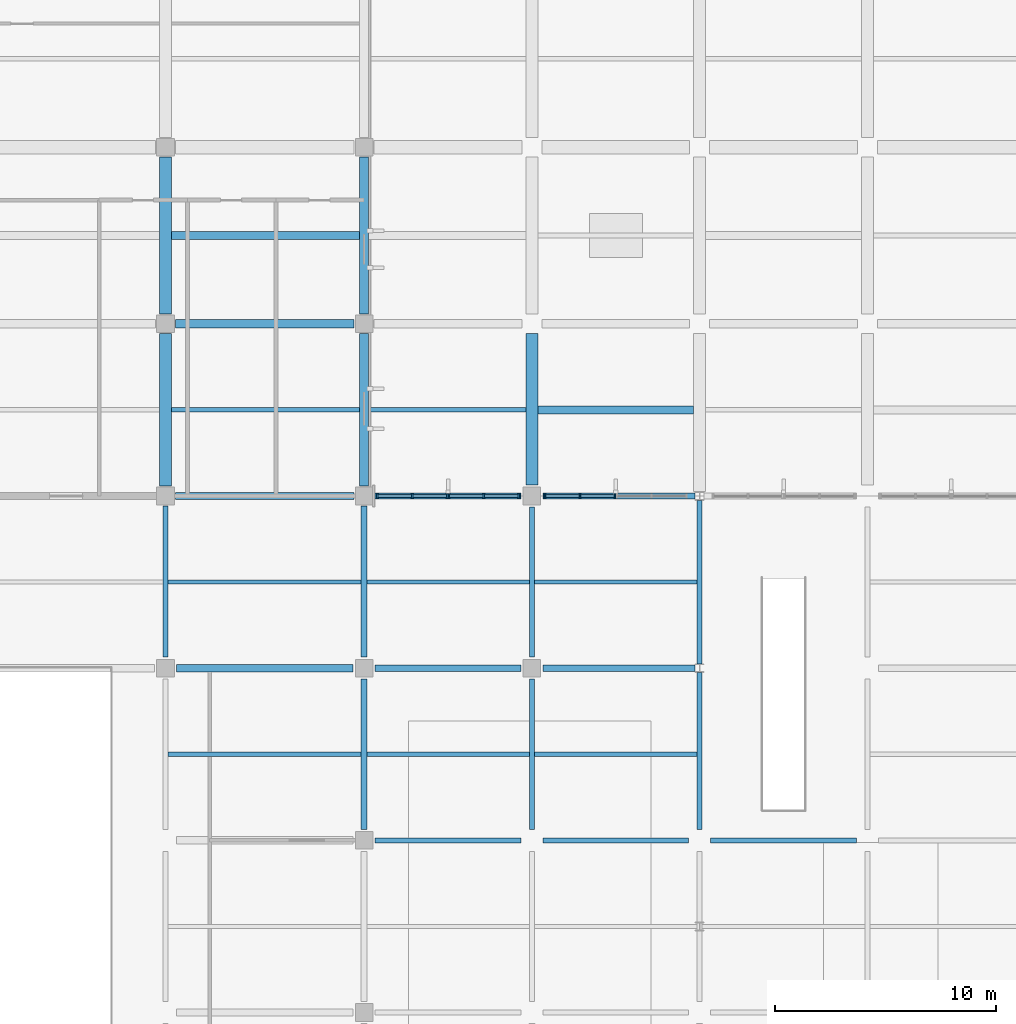
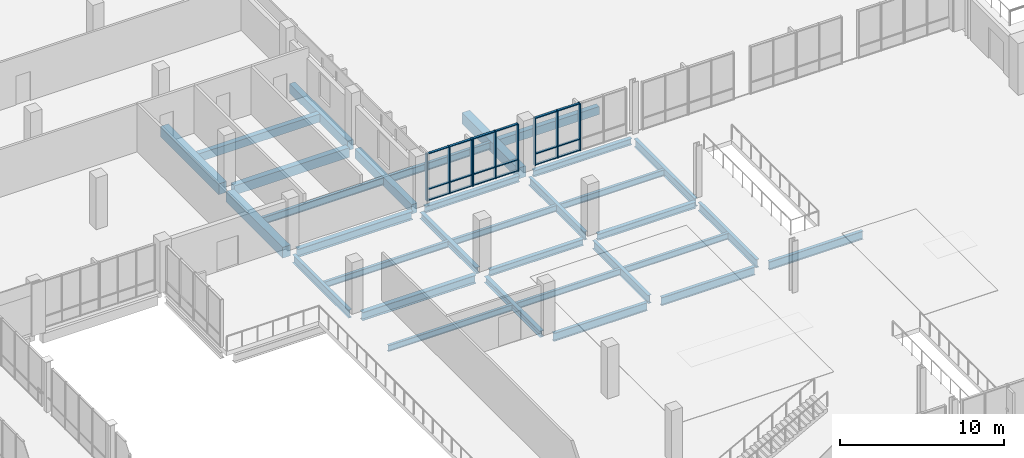
# One storey, part 35 of 85: 32 beams, 27 members, 3 elements without a shape of their own.
"""IFC4 building model written with IfcOpenShell, lengths in metres."""

from ifc_helpers import new_model, si_unit, direction, frame, origin, origin_2d, place, context, subcontext, project, spatial, rectangle, i_section, extrude, material, material_profile, profile_set, type_object, element, aggregate, save


model = new_model("IFC4")

# Units and contexts
model_context = context("Model", 3, precision=1e-05, world=origin(), true_north=direction((0.0, 1.0)))
body_context = subcontext(model_context, "Body", "Model", "MODEL_VIEW")
ifc_project = project(units=[si_unit("LENGTHUNIT", "METRE"), si_unit("AREAUNIT", "SQUARE_METRE"), si_unit("VOLUMEUNIT", "CUBIC_METRE"), si_unit("PLANEANGLEUNIT", "RADIAN"), si_unit("MASSUNIT", "GRAM", prefix="KILO")], contexts=[model_context])

# Site, building, storey
site_placement = place(None, origin())
site = spatial("IfcSite", under=ifc_project, at=site_placement, CompositionType="ELEMENT")
building_placement = place(site_placement, origin())
building = spatial("IfcBuilding", under=site, at=building_placement, Name="Vervanel Yard Central Library", CompositionType="ELEMENT")
storey_placement = place(building_placement, frame((0.0, 0.0, 5.10009765625)))
storey = spatial("IfcBuildingStorey", under=building, at=storey_placement, Name="L01", CompositionType="ELEMENT", Elevation=5.10009765625)

# Beams
ifc_material_1 = material(Name="Concrete C40/50", Category="concrete")
ifc_material_profile_1 = material_profile(ifc_material_1, rectangle(XDim=0.39990234375, YDim=0.699951171875, at=origin_2d()), Name="RC 400x700", Category="concrete")
ifc_profile_set_1 = profile_set([ifc_material_profile_1], Name="Concrete C40/50")
beam_type_1 = type_object("IfcBeamType", Name="Concrete Perimeter Spandrel 400x700", PredefinedType="SPANDREL", material=ifc_profile_set_1)
beam_1_placement = place(storey_placement, frame((99.449951171875, 90.0, -0.655029296875), z_axis=(1.0, 0.0, 0.0), x_axis=(0.0, 1.0, 0.0)))
element("IfcBeam", 1, at=beam_1_placement, inside=storey, type_object=beam_type_1, Name="L01 Girder SP-01 Y=90.0 X=99.0-108.0", PredefinedType="SPANDREL", context=body_context, shape_type="SweptSolid", body=[
    extrude(rectangle(XDim=0.39990234375, YDim=0.699951171875, at=origin_2d()), origin(), (0.0, 0.0, 1.0), 8.10009765625),
])
beam_2_placement = place(storey_placement, frame((108.0, 82.64990234375, -0.655029296875), z_axis=(0.0, 1.0, 0.0), x_axis=(-1.0, 0.0, 0.0)))
element("IfcBeam", 2, at=beam_2_placement, inside=storey, type_object=beam_type_1, Name="L01 Girder SP-01 X=108.0 Y=82.2-90.0", PredefinedType="SPANDREL", context=body_context, shape_type="SweptSolid", body=[
    extrude(rectangle(XDim=0.39990234375, YDim=0.699951171875, at=origin_2d()), origin(), (0.0, 0.0, 1.0), 6.900146484375),
])
beam_3_placement = place(storey_placement, frame((108.0, 90.449951171875, -0.655029296875), z_axis=(0.0, 1.0, 0.0), x_axis=(-1.0, 0.0, 0.0)))
element("IfcBeam", 3, at=beam_3_placement, inside=storey, type_object=beam_type_1, Name="L01 Girder SP-01 X=108.0 Y=90.0-98.0", PredefinedType="SPANDREL", context=body_context, shape_type="SweptSolid", body=[
    extrude(rectangle(XDim=0.39990234375, YDim=0.699951171875, at=origin_2d()), origin(), (0.0, 0.0, 1.0), 7.10009765625),
])
ifc_material_profile_2 = material_profile(ifc_material_1, rectangle(XDim=0.550048828125, YDim=0.800048828125, at=origin_2d()), Name="RC 550x800", Category="concrete")
ifc_profile_set_2 = profile_set([ifc_material_profile_2], Name="Concrete C40/50")
beam_type_2 = type_object("IfcBeamType", Name="Concrete Primary Girder 550x800", PredefinedType="BEAM", material=ifc_profile_set_2)
beam_4_placement = place(storey_placement, frame((99.0, 82.64990234375, -0.705078125), z_axis=(0.0, 1.0, 0.0), x_axis=(-1.0, 0.0, 0.0)))
element("IfcBeam", 4, at=beam_4_placement, inside=storey, type_object=beam_type_2, Name="L01 Girder CB-02 X=99.0 Y=82.2-90.0", PredefinedType="BEAM", context=body_context, shape_type="SweptSolid", body=[
    extrude(rectangle(XDim=0.550048828125, YDim=0.800048828125, at=origin_2d()), origin(), (0.0, 0.0, 1.0), 6.900146484375),
])
beam_5_placement = place(storey_placement, frame((99.0, 90.449951171875, -0.705078125), z_axis=(0.0, 1.0, 0.0), x_axis=(-1.0, 0.0, 0.0)))
element("IfcBeam", 5, at=beam_5_placement, inside=storey, type_object=beam_type_2, Name="L01 Girder CB-02 X=99.0 Y=90.0-98.0", PredefinedType="BEAM", context=body_context, shape_type="SweptSolid", body=[
    extrude(rectangle(XDim=0.550048828125, YDim=0.800048828125, at=origin_2d()), origin(), (0.0, 0.0, 1.0), 7.10009765625),
])
beam_6_placement = place(storey_placement, frame((115.60009765625, 82.699951171875, -0.655029296875), z_axis=(0.0, 1.0, 0.0), x_axis=(-1.0, 0.0, 0.0)))
element("IfcBeam", 6, at=beam_6_placement, inside=storey, type_object=beam_type_2, Name="L01 Girder CB-02 X=115.6 Y=82.2-90.0", PredefinedType="BEAM", context=body_context, shape_type="SweptSolid", body=[
    extrude(rectangle(XDim=0.550048828125, YDim=0.800048828125, at=origin_2d()), origin(), (0.0, 0.0, 1.0), 6.85009765625),
])
ifc_material_profile_3 = material_profile(ifc_material_1, rectangle(XDim=0.35009765625, YDim=0.60009765625, at=origin_2d()), Name="RC 350x600", Category="concrete")
ifc_profile_set_3 = profile_set([ifc_material_profile_3], Name="Concrete C40/50")
beam_type_3 = type_object("IfcBeamType", Name="Concrete Secondary Joist 350x600", PredefinedType="JOIST", material=ifc_profile_set_3)
beam_7_placement = place(storey_placement, frame((99.27490234375, 94.0, -0.60498046875), z_axis=(1.0, 0.0, 0.0), x_axis=(0.0, 1.0, 0.0)))
element("IfcBeam", 7, at=beam_7_placement, inside=storey, type_object=beam_type_3, Name="L01 Floor Joist CJ-01 Y=94.00 X=99.0-108.0", PredefinedType="JOIST", context=body_context, shape_type="SweptSolid", body=[
    extrude(rectangle(XDim=0.35009765625, YDim=0.60009765625, at=origin_2d()), origin(), (0.0, 0.0, 1.0), 8.525146484375),
])
beam_8_placement = place(storey_placement, frame((115.875, 86.10009765625, -0.55517578125), z_axis=(1.0, 0.0, 0.0), x_axis=(0.0, 1.0, 0.0)))
element("IfcBeam", 8, at=beam_8_placement, inside=storey, type_object=beam_type_3, Name="L01 Floor Joist CJ-01 Y=86.10 X=115.6-123.2", PredefinedType="JOIST", context=body_context, shape_type="SweptSolid", body=[
    extrude(rectangle(XDim=0.35009765625, YDim=0.60009765625, at=origin_2d()), origin(), (0.0, 0.0, 1.0), 7.050048828125),
])

# Curtain wall, members
ifc_material_2 = material(Name="Thermally broken anodized aluminium 6063-T6", Category="aluminium")
curtain_wall_type = type_object("IfcCurtainWallType", Name="Reading Hall Full-Height Curtain Wall", PredefinedType="NOTDEFINED", material=ifc_material_2)
curtain_wall_1_placement = place(storey_placement, origin())
curtain_wall_1 = element("IfcCurtainWall", 9, at=curtain_wall_1_placement, inside=storey, type_object=curtain_wall_type, Name="L01 Reading Hall Full-Height Curtain Wall CWR-L01-086", PredefinedType="NOTDEFINED")
ifc_material_profile_4 = material_profile(ifc_material_2, rectangle(XDim=0.070068359375, YDim=0.219970703125, at=origin_2d()), Name="ALU 70x220", Category="aluminium")
ifc_profile_set_4 = profile_set([ifc_material_profile_4], Name="Thermally broken anodized aluminium 6063-T6")
member_type_1 = type_object("IfcMemberType", Name="Reading Hall Deep Mullion 70x220", PredefinedType="MULLION", material=ifc_profile_set_4)
member_1_placement = place(storey_placement, frame((108.594970703125, 82.199951171875, 0.0), z_axis=(0.0, 0.0, 1.0), x_axis=(1.0, 0.0, 0.0)))
member_1 = element("IfcMember", 10, at=member_1_placement, type_object=member_type_1, Name="CWR-L01-086 Mullion 1", PredefinedType="MULLION", context=body_context, shape_type="SweptSolid", body=[
    extrude(rectangle(XDim=0.070068359375, YDim=0.219970703125, at=origin_2d()), origin(), (0.0, 0.0, 1.0), 3.52978515625),
])
member_2_placement = place(storey_placement, frame((110.179931640625, 82.199951171875, 0.0), z_axis=(0.0, 0.0, 1.0), x_axis=(1.0, 0.0, 0.0)))
member_2 = element("IfcMember", 11, at=member_2_placement, type_object=member_type_1, Name="CWR-L01-086 Mullion 2", PredefinedType="MULLION", context=body_context, shape_type="SweptSolid", body=[
    extrude(rectangle(XDim=0.070068359375, YDim=0.219970703125, at=origin_2d()), origin(), (0.0, 0.0, 1.0), 3.52978515625),
])
member_3_placement = place(storey_placement, frame((111.764892578125, 82.199951171875, 0.0), z_axis=(0.0, 0.0, 1.0), x_axis=(1.0, 0.0, 0.0)))
member_3 = element("IfcMember", 12, at=member_3_placement, type_object=member_type_1, Name="CWR-L01-086 Mullion 3", PredefinedType="MULLION", context=body_context, shape_type="SweptSolid", body=[
    extrude(rectangle(XDim=0.070068359375, YDim=0.219970703125, at=origin_2d()), origin(), (0.0, 0.0, 1.0), 3.52978515625),
])

curtain_wall_2_placement = place(storey_placement, origin())
curtain_wall_2 = element("IfcCurtainWall", 13, at=curtain_wall_2_placement, inside=storey, type_object=curtain_wall_type, Name="L01 Reading Hall Full-Height Curtain Wall CWR-L01-087", PredefinedType="NOTDEFINED")
member_4_placement = place(storey_placement, frame((111.8349609375, 82.199951171875, 0.0), z_axis=(0.0, 0.0, 1.0), x_axis=(1.0, 0.0, 0.0)))
member_4 = element("IfcMember", 14, at=member_4_placement, type_object=member_type_1, Name="CWR-L01-087 Mullion 1", PredefinedType="MULLION", context=body_context, shape_type="SweptSolid", body=[
    extrude(rectangle(XDim=0.070068359375, YDim=0.219970703125, at=origin_2d()), origin(), (0.0, 0.0, 1.0), 3.52978515625),
])
member_5_placement = place(storey_placement, frame((113.419921875, 82.199951171875, 0.0), z_axis=(0.0, 0.0, 1.0), x_axis=(1.0, 0.0, 0.0)))
member_5 = element("IfcMember", 15, at=member_5_placement, type_object=member_type_1, Name="CWR-L01-087 Mullion 2", PredefinedType="MULLION", context=body_context, shape_type="SweptSolid", body=[
    extrude(rectangle(XDim=0.070068359375, YDim=0.219970703125, at=origin_2d()), origin(), (0.0, 0.0, 1.0), 3.52978515625),
])
member_6_placement = place(storey_placement, frame((115.0048828125, 82.199951171875, 0.0), z_axis=(0.0, 0.0, 1.0), x_axis=(1.0, 0.0, 0.0)))
member_6 = element("IfcMember", 16, at=member_6_placement, type_object=member_type_1, Name="CWR-L01-087 Mullion 3", PredefinedType="MULLION", context=body_context, shape_type="SweptSolid", body=[
    extrude(rectangle(XDim=0.070068359375, YDim=0.219970703125, at=origin_2d()), origin(), (0.0, 0.0, 1.0), 3.52978515625),
])

curtain_wall_3_placement = place(storey_placement, origin())
curtain_wall_3 = element("IfcCurtainWall", 17, at=curtain_wall_3_placement, inside=storey, type_object=curtain_wall_type, Name="L01 Reading Hall Full-Height Curtain Wall CWR-L01-088", PredefinedType="NOTDEFINED")
member_7_placement = place(storey_placement, frame((116.195068359375, 82.199951171875, 0.0), z_axis=(0.0, 0.0, 1.0), x_axis=(1.0, 0.0, 0.0)))
member_7 = element("IfcMember", 18, at=member_7_placement, type_object=member_type_1, Name="CWR-L01-088 Mullion 1", PredefinedType="MULLION", context=body_context, shape_type="SweptSolid", body=[
    extrude(rectangle(XDim=0.070068359375, YDim=0.219970703125, at=origin_2d()), origin(), (0.0, 0.0, 1.0), 3.52978515625),
])
member_8_placement = place(storey_placement, frame((117.780029296875, 82.199951171875, 0.0), z_axis=(0.0, 0.0, 1.0), x_axis=(1.0, 0.0, 0.0)))
member_8 = element("IfcMember", 19, at=member_8_placement, type_object=member_type_1, Name="CWR-L01-088 Mullion 2", PredefinedType="MULLION", context=body_context, shape_type="SweptSolid", body=[
    extrude(rectangle(XDim=0.070068359375, YDim=0.219970703125, at=origin_2d()), origin(), (0.0, 0.0, 1.0), 3.52978515625),
])
member_9_placement = place(storey_placement, frame((119.364990234375, 82.199951171875, 0.0), z_axis=(0.0, 0.0, 1.0), x_axis=(1.0, 0.0, 0.0)))
member_9 = element("IfcMember", 20, at=member_9_placement, type_object=member_type_1, Name="CWR-L01-088 Mullion 3", PredefinedType="MULLION", context=body_context, shape_type="SweptSolid", body=[
    extrude(rectangle(XDim=0.070068359375, YDim=0.219970703125, at=origin_2d()), origin(), (0.0, 0.0, 1.0), 3.52978515625),
])

# Member
ifc_material_profile_5 = material_profile(ifc_material_2, rectangle(XDim=0.070068359375, YDim=0.14990234375, at=origin_2d()), Name="ALU 70x150", Category="aluminium")
ifc_profile_set_5 = profile_set([ifc_material_profile_5], Name="Thermally broken anodized aluminium 6063-T6")
member_type_2 = type_object("IfcMemberType", Name="Reading Hall Deep Transom 70x150", PredefinedType="NOTDEFINED", material=ifc_profile_set_5)
member_10_placement = place(storey_placement, frame((108.6298828125, 82.199951171875, 0.034912109375), z_axis=(1.0, 0.0, 0.0), x_axis=(0.0, 0.0, 1.0)))
member_10 = element("IfcMember", 21, at=member_10_placement, type_object=member_type_2, Name="CWR-L01-086 Transom B1-T1", ObjectType="TRANSOM", PredefinedType="USERDEFINED", context=body_context, shape_type="SweptSolid", body=[
    extrude(rectangle(XDim=0.070068359375, YDim=0.14990234375, at=origin_2d()), origin(), (0.0, 0.0, 1.0), 1.51513671875),
])

member_11_placement = place(storey_placement, frame((108.6298828125, 82.199951171875, 0.849853515625), z_axis=(1.0, 0.0, 0.0), x_axis=(0.0, 0.0, 1.0)))
member_11 = element("IfcMember", 22, at=member_11_placement, type_object=member_type_2, Name="CWR-L01-086 Transom B1-T2", ObjectType="TRANSOM", PredefinedType="USERDEFINED", context=body_context, shape_type="SweptSolid", body=[
    extrude(rectangle(XDim=0.070068359375, YDim=0.14990234375, at=origin_2d()), origin(), (0.0, 0.0, 1.0), 1.51513671875),
])

member_12_placement = place(storey_placement, frame((108.6298828125, 82.199951171875, 3.494873046875), z_axis=(1.0, 0.0, 0.0), x_axis=(0.0, 0.0, 1.0)))
member_12 = element("IfcMember", 23, at=member_12_placement, type_object=member_type_2, Name="CWR-L01-086 Transom B1-T3", ObjectType="TRANSOM", PredefinedType="USERDEFINED", context=body_context, shape_type="SweptSolid", body=[
    extrude(rectangle(XDim=0.070068359375, YDim=0.14990234375, at=origin_2d()), origin(), (0.0, 0.0, 1.0), 1.51513671875),
])

member_13_placement = place(storey_placement, frame((110.215087890625, 82.199951171875, 0.034912109375), z_axis=(1.0, 0.0, 0.0), x_axis=(0.0, 0.0, 1.0)))
member_13 = element("IfcMember", 24, at=member_13_placement, type_object=member_type_2, Name="CWR-L01-086 Transom B2-T1", ObjectType="TRANSOM", PredefinedType="USERDEFINED", context=body_context, shape_type="SweptSolid", body=[
    extrude(rectangle(XDim=0.070068359375, YDim=0.14990234375, at=origin_2d()), origin(), (0.0, 0.0, 1.0), 1.514892578125),
])

member_14_placement = place(storey_placement, frame((110.215087890625, 82.199951171875, 0.849853515625), z_axis=(1.0, 0.0, 0.0), x_axis=(0.0, 0.0, 1.0)))
member_14 = element("IfcMember", 25, at=member_14_placement, type_object=member_type_2, Name="CWR-L01-086 Transom B2-T2", ObjectType="TRANSOM", PredefinedType="USERDEFINED", context=body_context, shape_type="SweptSolid", body=[
    extrude(rectangle(XDim=0.070068359375, YDim=0.14990234375, at=origin_2d()), origin(), (0.0, 0.0, 1.0), 1.514892578125),
])

member_15_placement = place(storey_placement, frame((110.215087890625, 82.199951171875, 3.494873046875), z_axis=(1.0, 0.0, 0.0), x_axis=(0.0, 0.0, 1.0)))
member_15 = element("IfcMember", 26, at=member_15_placement, type_object=member_type_2, Name="CWR-L01-086 Transom B2-T3", ObjectType="TRANSOM", PredefinedType="USERDEFINED", context=body_context, shape_type="SweptSolid", body=[
    extrude(rectangle(XDim=0.070068359375, YDim=0.14990234375, at=origin_2d()), origin(), (0.0, 0.0, 1.0), 1.514892578125),
])

aggregate(curtain_wall_1, [member_1, member_2, member_3, member_10, member_11, member_12, member_13, member_14, member_15])

member_16_placement = place(storey_placement, frame((111.8701171875, 82.199951171875, 0.034912109375), z_axis=(1.0, 0.0, 0.0), x_axis=(0.0, 0.0, 1.0)))
member_16 = element("IfcMember", 27, at=member_16_placement, type_object=member_type_2, Name="CWR-L01-087 Transom B1-T1", ObjectType="TRANSOM", PredefinedType="USERDEFINED", context=body_context, shape_type="SweptSolid", body=[
    extrude(rectangle(XDim=0.070068359375, YDim=0.14990234375, at=origin_2d()), origin(), (0.0, 0.0, 1.0), 1.514892578125),
])

member_17_placement = place(storey_placement, frame((111.8701171875, 82.199951171875, 0.849853515625), z_axis=(1.0, 0.0, 0.0), x_axis=(0.0, 0.0, 1.0)))
member_17 = element("IfcMember", 28, at=member_17_placement, type_object=member_type_2, Name="CWR-L01-087 Transom B1-T2", ObjectType="TRANSOM", PredefinedType="USERDEFINED", context=body_context, shape_type="SweptSolid", body=[
    extrude(rectangle(XDim=0.070068359375, YDim=0.14990234375, at=origin_2d()), origin(), (0.0, 0.0, 1.0), 1.514892578125),
])

member_18_placement = place(storey_placement, frame((111.8701171875, 82.199951171875, 3.494873046875), z_axis=(1.0, 0.0, 0.0), x_axis=(0.0, 0.0, 1.0)))
member_18 = element("IfcMember", 29, at=member_18_placement, type_object=member_type_2, Name="CWR-L01-087 Transom B1-T3", ObjectType="TRANSOM", PredefinedType="USERDEFINED", context=body_context, shape_type="SweptSolid", body=[
    extrude(rectangle(XDim=0.070068359375, YDim=0.14990234375, at=origin_2d()), origin(), (0.0, 0.0, 1.0), 1.514892578125),
])

member_19_placement = place(storey_placement, frame((113.455078125, 82.199951171875, 0.034912109375), z_axis=(1.0, 0.0, 0.0), x_axis=(0.0, 0.0, 1.0)))
member_19 = element("IfcMember", 30, at=member_19_placement, type_object=member_type_2, Name="CWR-L01-087 Transom B2-T1", ObjectType="TRANSOM", PredefinedType="USERDEFINED", context=body_context, shape_type="SweptSolid", body=[
    extrude(rectangle(XDim=0.070068359375, YDim=0.14990234375, at=origin_2d()), origin(), (0.0, 0.0, 1.0), 1.514892578125),
])

member_20_placement = place(storey_placement, frame((113.455078125, 82.199951171875, 0.849853515625), z_axis=(1.0, 0.0, 0.0), x_axis=(0.0, 0.0, 1.0)))
member_20 = element("IfcMember", 31, at=member_20_placement, type_object=member_type_2, Name="CWR-L01-087 Transom B2-T2", ObjectType="TRANSOM", PredefinedType="USERDEFINED", context=body_context, shape_type="SweptSolid", body=[
    extrude(rectangle(XDim=0.070068359375, YDim=0.14990234375, at=origin_2d()), origin(), (0.0, 0.0, 1.0), 1.514892578125),
])

member_21_placement = place(storey_placement, frame((113.455078125, 82.199951171875, 3.494873046875), z_axis=(1.0, 0.0, 0.0), x_axis=(0.0, 0.0, 1.0)))
member_21 = element("IfcMember", 32, at=member_21_placement, type_object=member_type_2, Name="CWR-L01-087 Transom B2-T3", ObjectType="TRANSOM", PredefinedType="USERDEFINED", context=body_context, shape_type="SweptSolid", body=[
    extrude(rectangle(XDim=0.070068359375, YDim=0.14990234375, at=origin_2d()), origin(), (0.0, 0.0, 1.0), 1.514892578125),
])

aggregate(curtain_wall_2, [member_4, member_5, member_6, member_16, member_17, member_18, member_19, member_20, member_21])

member_22_placement = place(storey_placement, frame((116.22998046875, 82.199951171875, 0.034912109375), z_axis=(1.0, 0.0, 0.0), x_axis=(0.0, 0.0, 1.0)))
member_22 = element("IfcMember", 33, at=member_22_placement, type_object=member_type_2, Name="CWR-L01-088 Transom B1-T1", ObjectType="TRANSOM", PredefinedType="USERDEFINED", context=body_context, shape_type="SweptSolid", body=[
    extrude(rectangle(XDim=0.070068359375, YDim=0.14990234375, at=origin_2d()), origin(), (0.0, 0.0, 1.0), 1.51513671875),
])

member_23_placement = place(storey_placement, frame((116.22998046875, 82.199951171875, 0.849853515625), z_axis=(1.0, 0.0, 0.0), x_axis=(0.0, 0.0, 1.0)))
member_23 = element("IfcMember", 34, at=member_23_placement, type_object=member_type_2, Name="CWR-L01-088 Transom B1-T2", ObjectType="TRANSOM", PredefinedType="USERDEFINED", context=body_context, shape_type="SweptSolid", body=[
    extrude(rectangle(XDim=0.070068359375, YDim=0.14990234375, at=origin_2d()), origin(), (0.0, 0.0, 1.0), 1.51513671875),
])

member_24_placement = place(storey_placement, frame((116.22998046875, 82.199951171875, 3.494873046875), z_axis=(1.0, 0.0, 0.0), x_axis=(0.0, 0.0, 1.0)))
member_24 = element("IfcMember", 35, at=member_24_placement, type_object=member_type_2, Name="CWR-L01-088 Transom B1-T3", ObjectType="TRANSOM", PredefinedType="USERDEFINED", context=body_context, shape_type="SweptSolid", body=[
    extrude(rectangle(XDim=0.070068359375, YDim=0.14990234375, at=origin_2d()), origin(), (0.0, 0.0, 1.0), 1.51513671875),
])

member_25_placement = place(storey_placement, frame((117.81494140625, 82.199951171875, 0.034912109375), z_axis=(1.0, 0.0, 0.0), x_axis=(0.0, 0.0, 1.0)))
member_25 = element("IfcMember", 36, at=member_25_placement, type_object=member_type_2, Name="CWR-L01-088 Transom B2-T1", ObjectType="TRANSOM", PredefinedType="USERDEFINED", context=body_context, shape_type="SweptSolid", body=[
    extrude(rectangle(XDim=0.070068359375, YDim=0.14990234375, at=origin_2d()), origin(), (0.0, 0.0, 1.0), 1.51513671875),
])

member_26_placement = place(storey_placement, frame((117.81494140625, 82.199951171875, 0.849853515625), z_axis=(1.0, 0.0, 0.0), x_axis=(0.0, 0.0, 1.0)))
member_26 = element("IfcMember", 37, at=member_26_placement, type_object=member_type_2, Name="CWR-L01-088 Transom B2-T2", ObjectType="TRANSOM", PredefinedType="USERDEFINED", context=body_context, shape_type="SweptSolid", body=[
    extrude(rectangle(XDim=0.070068359375, YDim=0.14990234375, at=origin_2d()), origin(), (0.0, 0.0, 1.0), 1.51513671875),
])

member_27_placement = place(storey_placement, frame((117.81494140625, 82.199951171875, 3.494873046875), z_axis=(1.0, 0.0, 0.0), x_axis=(0.0, 0.0, 1.0)))
member_27 = element("IfcMember", 38, at=member_27_placement, type_object=member_type_2, Name="CWR-L01-088 Transom B2-T3", ObjectType="TRANSOM", PredefinedType="USERDEFINED", context=body_context, shape_type="SweptSolid", body=[
    extrude(rectangle(XDim=0.070068359375, YDim=0.14990234375, at=origin_2d()), origin(), (0.0, 0.0, 1.0), 1.51513671875),
])

aggregate(curtain_wall_3, [member_7, member_8, member_9, member_22, member_23, member_24, member_25, member_26, member_27])

# Beams
ifc_material_3 = material(Name="Steel ASTM A992 Grade 50", Category="steel")
ifc_material_profile_6 = material_profile(ifc_material_3, i_section(OverallWidth=0.32763671875, OverallDepth=0.622314453125, WebThickness=0.015380859375, FlangeThickness=0.0244140625, at=origin_2d()), Name="W24X131", Category="steel")
ifc_profile_set_6 = profile_set([ifc_material_profile_6], Name="Steel ASTM A992 Grade 50")
beam_type_4 = type_object("IfcBeamType", Name="Steel Primary Girder W24X131", PredefinedType="BEAM", material=ifc_profile_set_6)
beam_9_placement = place(storey_placement, frame((99.5, 74.39990234375, -0.63623046875), z_axis=(1.0, 0.0, 0.0), x_axis=(0.0, 1.0, 0.0)))
element("IfcBeam", 39, at=beam_9_placement, inside=storey, type_object=beam_type_4, Name="L01 Girder SB-02 Y=74.4 X=99.0-108.0", PredefinedType="BEAM", context=body_context, shape_type="SweptSolid", body=[
    extrude(i_section(OverallWidth=0.32763671875, OverallDepth=0.622314453125, WebThickness=0.015380859375, FlangeThickness=0.0244140625, at=origin_2d()), origin(), (0.0, 0.0, 1.0), 8.0),
])
beam_10_placement = place(storey_placement, frame((99.449951171875, 82.199951171875, -0.63623046875), z_axis=(1.0, 0.0, 0.0), x_axis=(0.0, 1.0, 0.0)))
element("IfcBeam", 40, at=beam_10_placement, inside=storey, type_object=beam_type_4, Name="L01 Girder SB-02 Y=82.2 X=99.0-108.0", PredefinedType="BEAM", context=body_context, shape_type="SweptSolid", body=[
    extrude(i_section(OverallWidth=0.32763671875, OverallDepth=0.622314453125, WebThickness=0.015380859375, FlangeThickness=0.0244140625, at=origin_2d()), origin(), (0.0, 0.0, 1.0), 8.10009765625),
])
ifc_material_profile_7 = material_profile(ifc_material_3, i_section(OverallWidth=0.22900390625, OverallDepth=0.612060546875, WebThickness=0.011962890625, FlangeThickness=0.01953125, at=origin_2d()), Name="W24X84", Category="steel")
ifc_profile_set_7 = profile_set([ifc_material_profile_7], Name="Steel ASTM A992 Grade 50")
beam_type_5 = type_object("IfcBeamType", Name="Steel Primary Girder W24X84", PredefinedType="BEAM", material=ifc_profile_set_7)
beam_11_placement = place(storey_placement, frame((108.5, 66.60009765625, -0.631103515625), z_axis=(1.0, 0.0, 0.0), x_axis=(0.0, 1.0, 0.0)))
element("IfcBeam", 41, at=beam_11_placement, inside=storey, type_object=beam_type_5, Name="L01 Girder SB-01 Y=66.6 X=108.0-115.6", PredefinedType="BEAM", context=body_context, shape_type="SweptSolid", body=[
    extrude(i_section(OverallWidth=0.22900390625, OverallDepth=0.612060546875, WebThickness=0.011962890625, FlangeThickness=0.01953125, at=origin_2d()), origin(), (0.0, 0.0, 1.0), 6.60009765625),
])
beam_12_placement = place(storey_placement, frame((116.10009765625, 66.60009765625, -0.631103515625), z_axis=(1.0, 0.0, 0.0), x_axis=(0.0, 1.0, 0.0)))
element("IfcBeam", 42, at=beam_12_placement, inside=storey, type_object=beam_type_5, Name="L01 Girder SB-01 Y=66.6 X=115.6-123.2", PredefinedType="BEAM", context=body_context, shape_type="SweptSolid", body=[
    extrude(i_section(OverallWidth=0.22900390625, OverallDepth=0.612060546875, WebThickness=0.011962890625, FlangeThickness=0.01953125, at=origin_2d()), origin(), (0.0, 0.0, 1.0), 6.599853515625),
])
beam_13_placement = place(storey_placement, frame((123.699951171875, 66.60009765625, -0.631103515625), z_axis=(1.0, 0.0, 0.0), x_axis=(0.0, 1.0, 0.0)))
element("IfcBeam", 43, at=beam_13_placement, inside=storey, type_object=beam_type_5, Name="L01 Girder SB-01 Y=66.6 X=123.2-130.8", PredefinedType="BEAM", context=body_context, shape_type="SweptSolid", body=[
    extrude(i_section(OverallWidth=0.22900390625, OverallDepth=0.612060546875, WebThickness=0.011962890625, FlangeThickness=0.01953125, at=origin_2d()), origin(), (0.0, 0.0, 1.0), 6.60009765625),
])
beam_14_placement = place(storey_placement, frame((99.0, 74.89990234375, -0.631103515625), z_axis=(0.0, 1.0, 0.0), x_axis=(-1.0, 0.0, 0.0)))
element("IfcBeam", 44, at=beam_14_placement, inside=storey, type_object=beam_type_5, Name="L01 Girder SB-01 X=99.0 Y=74.4-82.2", PredefinedType="BEAM", context=body_context, shape_type="SweptSolid", body=[
    extrude(i_section(OverallWidth=0.22900390625, OverallDepth=0.612060546875, WebThickness=0.011962890625, FlangeThickness=0.01953125, at=origin_2d()), origin(), (0.0, 0.0, 1.0), 6.85009765625),
])
beam_15_placement = place(storey_placement, frame((115.60009765625, 67.10009765625, -0.631103515625), z_axis=(0.0, 1.0, 0.0), x_axis=(-1.0, 0.0, 0.0)))
element("IfcBeam", 45, at=beam_15_placement, inside=storey, type_object=beam_type_5, Name="L01 Girder SB-01 X=115.6 Y=66.6-74.4", PredefinedType="BEAM", context=body_context, shape_type="SweptSolid", body=[
    extrude(i_section(OverallWidth=0.22900390625, OverallDepth=0.612060546875, WebThickness=0.011962890625, FlangeThickness=0.01953125, at=origin_2d()), origin(), (0.0, 0.0, 1.0), 6.7998046875),
])
beam_16_placement = place(storey_placement, frame((115.60009765625, 74.89990234375, -0.631103515625), z_axis=(0.0, 1.0, 0.0), x_axis=(-1.0, 0.0, 0.0)))
element("IfcBeam", 46, at=beam_16_placement, inside=storey, type_object=beam_type_5, Name="L01 Girder SB-01 X=115.6 Y=74.4-82.2", PredefinedType="BEAM", context=body_context, shape_type="SweptSolid", body=[
    extrude(i_section(OverallWidth=0.22900390625, OverallDepth=0.612060546875, WebThickness=0.011962890625, FlangeThickness=0.01953125, at=origin_2d()), origin(), (0.0, 0.0, 1.0), 6.800048828125),
])
beam_17_placement = place(storey_placement, frame((123.199951171875, 67.10009765625, -0.631103515625), z_axis=(0.0, 1.0, 0.0), x_axis=(-1.0, 0.0, 0.0)))
element("IfcBeam", 47, at=beam_17_placement, inside=storey, type_object=beam_type_5, Name="L01 Girder SB-01 X=123.2 Y=66.6-74.4", PredefinedType="BEAM", context=body_context, shape_type="SweptSolid", body=[
    extrude(i_section(OverallWidth=0.22900390625, OverallDepth=0.612060546875, WebThickness=0.011962890625, FlangeThickness=0.01953125, at=origin_2d()), origin(), (0.0, 0.0, 1.0), 7.1005859375),
])
beam_18_placement = place(storey_placement, frame((123.199951171875, 74.599365234375, -0.631103515625), z_axis=(0.0, 1.0, 0.0), x_axis=(-1.0, 0.0, 0.0)))
element("IfcBeam", 48, at=beam_18_placement, inside=storey, type_object=beam_type_5, Name="L01 Girder SB-01 X=123.2 Y=74.4-82.2", PredefinedType="BEAM", context=body_context, shape_type="SweptSolid", body=[
    extrude(i_section(OverallWidth=0.22900390625, OverallDepth=0.612060546875, WebThickness=0.011962890625, FlangeThickness=0.01953125, at=origin_2d()), origin(), (0.0, 0.0, 1.0), 7.401123046875),
])
ifc_material_profile_8 = material_profile(ifc_material_3, i_section(OverallWidth=0.191162109375, OverallDepth=0.459716796875, WebThickness=0.010009765625, FlangeThickness=0.01611328125, at=origin_2d()), Name="W18X55", Category="steel")
ifc_profile_set_8 = profile_set([ifc_material_profile_8], Name="Steel ASTM A992 Grade 50")
beam_type_6 = type_object("IfcBeamType", Name="Steel Secondary Joist W18X55", PredefinedType="JOIST", material=ifc_profile_set_8)
for number, where, z_axis, x_axis, name in (
    (49, (99.114501953125, 70.5, -0.554931640625), (1.0, 0.0, 0.0), (0.0, 1.0, 0.0), "L01 Floor Joist SJ-03 Y=70.50 X=99.0-108.0"),
    (50, (99.114501953125, 78.300048828125, -0.554931640625), (1.0, 0.0, 0.0), (0.0, 1.0, 0.0), "L01 Floor Joist SJ-03 Y=78.30 X=99.0-108.0"),
):
    element("IfcBeam", number, at=place(storey_placement, frame(where, z_axis=z_axis, x_axis=x_axis)), inside=storey, type_object=beam_type_6, Name=name, PredefinedType="JOIST", context=body_context, shape_type="SweptSolid", body=[
        extrude(i_section(OverallWidth=0.191162109375, OverallDepth=0.459716796875, WebThickness=0.010009765625, FlangeThickness=0.01611328125, at=origin_2d()), origin(), (0.0, 0.0, 1.0), 8.744384765625),
    ])
for number, where, z_axis, x_axis, name in (
    (51, (108.14111328125, 70.5, -0.554931640625), (1.0, 0.0, 0.0), (0.0, 1.0, 0.0), "L01 Floor Joist SJ-03 Y=70.50 X=108.0-115.6"),
    (52, (108.14111328125, 78.300048828125, -0.554931640625), (1.0, 0.0, 0.0), (0.0, 1.0, 0.0), "L01 Floor Joist SJ-03 Y=78.30 X=108.0-115.6"),
):
    element("IfcBeam", number, at=place(storey_placement, frame(where, z_axis=z_axis, x_axis=x_axis)), inside=storey, type_object=beam_type_6, Name=name, PredefinedType="JOIST", context=body_context, shape_type="SweptSolid", body=[
        extrude(i_section(OverallWidth=0.191162109375, OverallDepth=0.459716796875, WebThickness=0.010009765625, FlangeThickness=0.01611328125, at=origin_2d()), origin(), (0.0, 0.0, 1.0), 7.34423828125),
    ])
for number, where, z_axis, x_axis, name in (
    (53, (115.714599609375, 70.5, -0.554931640625), (1.0, 0.0, 0.0), (0.0, 1.0, 0.0), "L01 Floor Joist SJ-03 Y=70.50 X=115.6-123.2"),
    (54, (115.714599609375, 78.300048828125, -0.554931640625), (1.0, 0.0, 0.0), (0.0, 1.0, 0.0), "L01 Floor Joist SJ-03 Y=78.30 X=115.6-123.2"),
):
    element("IfcBeam", number, at=place(storey_placement, frame(where, z_axis=z_axis, x_axis=x_axis)), inside=storey, type_object=beam_type_6, Name=name, PredefinedType="JOIST", context=body_context, shape_type="SweptSolid", body=[
        extrude(i_section(OverallWidth=0.191162109375, OverallDepth=0.459716796875, WebThickness=0.010009765625, FlangeThickness=0.01611328125, at=origin_2d()), origin(), (0.0, 0.0, 1.0), 7.370849609375),
    ])
ifc_material_profile_9 = material_profile(ifc_material_3, i_section(OverallWidth=0.281982421875, OverallDepth=0.46728515625, WebThickness=0.01220703125, FlangeThickness=0.01953125, at=origin_2d()), Name="W18X86", Category="steel")
ifc_profile_set_9 = profile_set([ifc_material_profile_9], Name="Steel ASTM A992 Grade 50")
beam_type_7 = type_object("IfcBeamType", Name="Steel Spandrel Beam W18X86", PredefinedType="SPANDREL", material=ifc_profile_set_9)
beam_19_placement = place(storey_placement, frame((108.5, 74.39990234375, -0.558837890625), z_axis=(1.0, 0.0, 0.0), x_axis=(0.0, 1.0, 0.0)))
element("IfcBeam", 55, at=beam_19_placement, inside=storey, type_object=beam_type_7, Name="L01 Girder SP-02 Y=74.4 X=108.0-115.6", PredefinedType="SPANDREL", context=body_context, shape_type="SweptSolid", body=[
    extrude(i_section(OverallWidth=0.281982421875, OverallDepth=0.46728515625, WebThickness=0.01220703125, FlangeThickness=0.01953125, at=origin_2d()), origin(), (0.0, 0.0, 1.0), 6.60009765625),
])
beam_20_placement = place(storey_placement, frame((116.10009765625, 74.39990234375, -0.558837890625), z_axis=(1.0, 0.0, 0.0), x_axis=(0.0, 1.0, 0.0)))
element("IfcBeam", 56, at=beam_20_placement, inside=storey, type_object=beam_type_7, Name="L01 Girder SP-02 Y=74.4 X=115.6-123.2", PredefinedType="SPANDREL", context=body_context, shape_type="SweptSolid", body=[
    extrude(i_section(OverallWidth=0.281982421875, OverallDepth=0.46728515625, WebThickness=0.01220703125, FlangeThickness=0.01953125, at=origin_2d()), origin(), (0.0, 0.0, 1.0), 6.899169921875),
])
beam_21_placement = place(storey_placement, frame((108.449951171875, 82.199951171875, -0.558837890625), z_axis=(1.0, 0.0, 0.0), x_axis=(0.0, 1.0, 0.0)))
element("IfcBeam", 57, at=beam_21_placement, inside=storey, type_object=beam_type_7, Name="L01 Girder SP-02 Y=82.2 X=108.0-115.6", PredefinedType="SPANDREL", context=body_context, shape_type="SweptSolid", body=[
    extrude(i_section(OverallWidth=0.281982421875, OverallDepth=0.46728515625, WebThickness=0.01220703125, FlangeThickness=0.01953125, at=origin_2d()), origin(), (0.0, 0.0, 1.0), 6.650146484375),
])
beam_22_placement = place(storey_placement, frame((116.10009765625, 82.199951171875, -0.558837890625), z_axis=(1.0, 0.0, 0.0), x_axis=(0.0, 1.0, 0.0)))
element("IfcBeam", 58, at=beam_22_placement, inside=storey, type_object=beam_type_7, Name="L01 Girder SP-02 Y=82.2 X=115.6-123.2", PredefinedType="SPANDREL", context=body_context, shape_type="SweptSolid", body=[
    extrude(i_section(OverallWidth=0.281982421875, OverallDepth=0.46728515625, WebThickness=0.01220703125, FlangeThickness=0.01953125, at=origin_2d()), origin(), (0.0, 0.0, 1.0), 6.899169921875),
])
beam_23_placement = place(storey_placement, frame((108.0, 67.10009765625, -0.558837890625), z_axis=(0.0, 1.0, 0.0), x_axis=(-1.0, 0.0, 0.0)))
element("IfcBeam", 59, at=beam_23_placement, inside=storey, type_object=beam_type_7, Name="L01 Girder SP-02 X=108.0 Y=66.6-74.4", PredefinedType="SPANDREL", context=body_context, shape_type="SweptSolid", body=[
    extrude(i_section(OverallWidth=0.281982421875, OverallDepth=0.46728515625, WebThickness=0.01220703125, FlangeThickness=0.01953125, at=origin_2d()), origin(), (0.0, 0.0, 1.0), 6.7998046875),
])
beam_24_placement = place(storey_placement, frame((108.0, 74.89990234375, -0.558837890625), z_axis=(0.0, 1.0, 0.0), x_axis=(-1.0, 0.0, 0.0)))
element("IfcBeam", 60, at=beam_24_placement, inside=storey, type_object=beam_type_7, Name="L01 Girder SP-02 X=108.0 Y=74.4-82.2", PredefinedType="SPANDREL", context=body_context, shape_type="SweptSolid", body=[
    extrude(i_section(OverallWidth=0.281982421875, OverallDepth=0.46728515625, WebThickness=0.01220703125, FlangeThickness=0.01953125, at=origin_2d()), origin(), (0.0, 0.0, 1.0), 6.85009765625),
])
ifc_material_profile_10 = material_profile(ifc_material_3, i_section(OverallWidth=0.2099609375, OverallDepth=0.535888671875, WebThickness=0.010986328125, FlangeThickness=0.017333984375, at=origin_2d()), Name="W21X68", Category="steel")
ifc_profile_set_10 = profile_set([ifc_material_profile_10], Name="Steel ASTM A992 Grade 50")
beam_type_8 = type_object("IfcBeamType", Name="Steel Stack Floor Joist W21X68", PredefinedType="JOIST", material=ifc_profile_set_10)
beam_25_placement = place(storey_placement, frame((99.27490234375, 86.10009765625, -0.572998046875), z_axis=(1.0, 0.0, 0.0), x_axis=(0.0, 1.0, 0.0)))
element("IfcBeam", 61, at=beam_25_placement, inside=storey, type_object=beam_type_8, Name="L01 Floor Joist SJ-04 Y=86.10 X=99.0-108.0", PredefinedType="JOIST", context=body_context, shape_type="SweptSolid", body=[
    extrude(i_section(OverallWidth=0.2099609375, OverallDepth=0.535888671875, WebThickness=0.010986328125, FlangeThickness=0.017333984375, at=origin_2d()), origin(), (0.0, 0.0, 1.0), 8.525146484375),
])
beam_26_placement = place(storey_placement, frame((108.199951171875, 86.10009765625, -0.572998046875), z_axis=(1.0, 0.0, 0.0), x_axis=(0.0, 1.0, 0.0)))
element("IfcBeam", 62, at=beam_26_placement, inside=storey, type_object=beam_type_8, Name="L01 Floor Joist SJ-04 Y=86.10 X=108.0-115.6", PredefinedType="JOIST", context=body_context, shape_type="SweptSolid", body=[
    extrude(i_section(OverallWidth=0.2099609375, OverallDepth=0.535888671875, WebThickness=0.010986328125, FlangeThickness=0.017333984375, at=origin_2d()), origin(), (0.0, 0.0, 1.0), 7.125),
])

save(model, "model.ifc")
